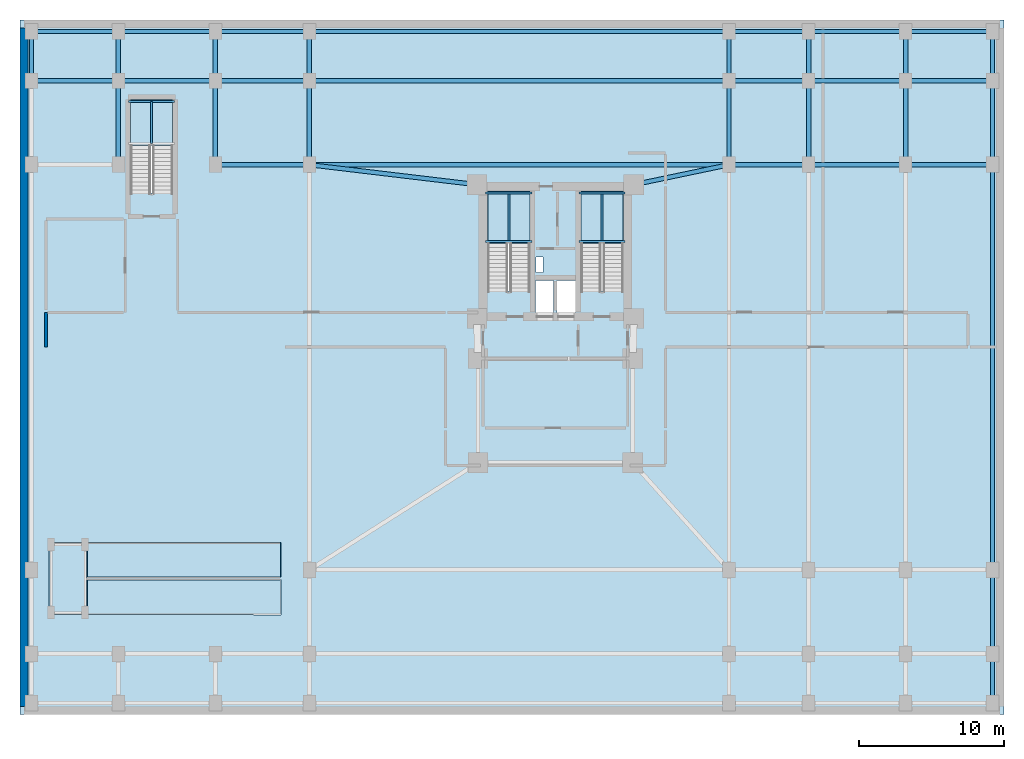
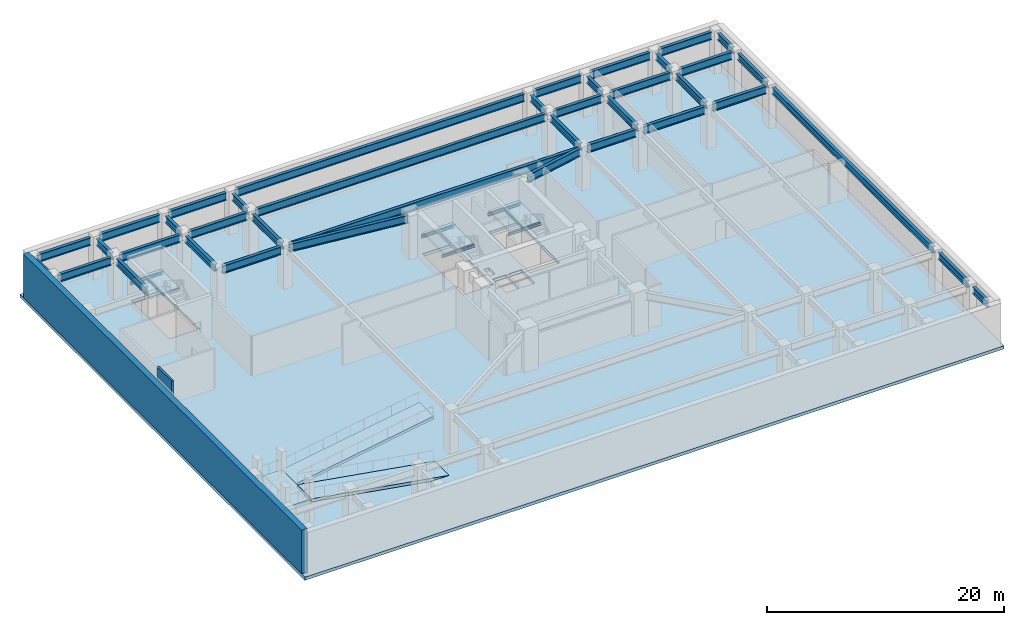
# One storey, part 2 of 8: 47 beams, 7 slabs, 2 walls, 3 elements without a shape of their own.
"""IFC4 building model written with IfcOpenShell, lengths in metres."""

from ifc_helpers import new_model, si_unit, direction, frame, frame_2d, origin, origin_2d, place, context, subcontext, project, spatial, polyline, rectangle, i_section, outline, extrude, material, layer, layer_set, material_profile, profile_set, type_object, element, aggregate, save


model = new_model("IFC4")

# Units and contexts
model_context = context("Model", 3, precision=1e-05, world=origin(), true_north=direction((0.0, 1.0)))
body_context = subcontext(model_context, "Body", "Model", "MODEL_VIEW")
ifc_project = project(units=[si_unit("LENGTHUNIT", "METRE"), si_unit("AREAUNIT", "SQUARE_METRE"), si_unit("VOLUMEUNIT", "CUBIC_METRE"), si_unit("PLANEANGLEUNIT", "RADIAN"), si_unit("MASSUNIT", "GRAM", prefix="KILO")], contexts=[model_context])

# Site, building, storey
site_placement = place(None, origin())
site = spatial("IfcSite", under=ifc_project, at=site_placement, CompositionType="ELEMENT")
building_placement = place(site_placement, origin())
building = spatial("IfcBuilding", under=site, at=building_placement, Name="Varnakorn Sky Granary", CompositionType="ELEMENT")
storey_placement = place(building_placement, frame((0.0, 0.0, -9.0)))
storey = spatial("IfcBuildingStorey", under=building, at=storey_placement, Name="B02", CompositionType="ELEMENT", Elevation=-9.0)

# Beams
ifc_material_1 = material(Name="Steel S355JR", Category="steel")
ifc_material_profile_1 = material_profile(ifc_material_1, i_section(OverallWidth=0.135009765625, OverallDepth=0.27001953125, WebThickness=0.006591796875, FlangeThickness=0.01025390625, at=origin_2d()), Name="IPE 270")
ifc_profile_set_1 = profile_set([ifc_material_profile_1], Name="Steel S355JR")
beam_type_1 = type_object("IfcBeamType", Name="BM-LND-270", PredefinedType="BEAM", material=ifc_profile_set_1)
for number, where, z_axis, x_axis, name in (
    (1, (-1.820068359375, 8.679931640625, 1.9150390625), (1.0, 0.0, 0.0), (0.0, 1.0, 0.0), "Stair ST-1 Landing Trimmer Beam A B02-1"),
    (2, (-1.820068359375, 12.06005859375, 1.9150390625), (1.0, 0.0, 0.0), (0.0, 1.0, 0.0), "Stair ST-1 Landing Trimmer Beam B B02-1"),
):
    element("IfcBeam", number, at=place(storey_placement, frame(where, z_axis=z_axis, x_axis=x_axis)), inside=storey, type_object=beam_type_1, Name=name, PredefinedType="BEAM", context=body_context, shape_type="SweptSolid", body=[
        extrude(i_section(OverallWidth=0.135009765625, OverallDepth=0.27001953125, WebThickness=0.006591796875, FlangeThickness=0.01025390625, at=origin_2d()), origin(), (0.0, 0.0, 1.0), 3.199951171875),
    ])
beam_1_placement = place(storey_placement, frame((-0.219970703125, 8.679931640625, 1.9150390625), z_axis=(0.0, 1.0, 0.0), x_axis=(-1.0, 0.0, 0.0)))
element("IfcBeam", 3, at=beam_1_placement, inside=storey, type_object=beam_type_1, Name="Stair ST-1 Landing Cross Beam C B02-1", PredefinedType="BEAM", context=body_context, shape_type="SweptSolid", body=[
    extrude(i_section(OverallWidth=0.135009765625, OverallDepth=0.27001953125, WebThickness=0.006591796875, FlangeThickness=0.01025390625, at=origin_2d()), origin(), (0.0, 0.0, 1.0), 3.380126953125),
])
for number, where, z_axis, x_axis, name in (
    (4, (4.6201171875, 8.679931640625, 1.9150390625), (1.0, 0.0, 0.0), (0.0, 1.0, 0.0), "Stair ST-2 Landing Trimmer Beam A B02-1"),
    (5, (4.6201171875, 12.06005859375, 1.9150390625), (1.0, 0.0, 0.0), (0.0, 1.0, 0.0), "Stair ST-2 Landing Trimmer Beam B B02-1"),
):
    element("IfcBeam", number, at=place(storey_placement, frame(where, z_axis=z_axis, x_axis=x_axis)), inside=storey, type_object=beam_type_1, Name=name, PredefinedType="BEAM", context=body_context, shape_type="SweptSolid", body=[
        extrude(i_section(OverallWidth=0.135009765625, OverallDepth=0.27001953125, WebThickness=0.006591796875, FlangeThickness=0.01025390625, at=origin_2d()), origin(), (0.0, 0.0, 1.0), 3.199951171875),
    ])
beam_2_placement = place(storey_placement, frame((6.219970703125, 8.679931640625, 1.9150390625), z_axis=(0.0, 1.0, 0.0), x_axis=(-1.0, 0.0, 0.0)))
element("IfcBeam", 6, at=beam_2_placement, inside=storey, type_object=beam_type_1, Name="Stair ST-2 Landing Cross Beam C B02-1", PredefinedType="BEAM", context=body_context, shape_type="SweptSolid", body=[
    extrude(i_section(OverallWidth=0.135009765625, OverallDepth=0.27001953125, WebThickness=0.006591796875, FlangeThickness=0.01025390625, at=origin_2d()), origin(), (0.0, 0.0, 1.0), 3.380126953125),
])
beam_3_placement = place(storey_placement, frame((-26.5, 18.3798828125, 1.9150390625), z_axis=(1.0, 0.0, 0.0), x_axis=(0.0, 1.0, 0.0)))
element("IfcBeam", 7, at=beam_3_placement, inside=storey, type_object=beam_type_1, Name="Stair ST-B3 Landing Trimmer Beam B B02-1", PredefinedType="BEAM", context=body_context, shape_type="SweptSolid", body=[
    extrude(i_section(OverallWidth=0.135009765625, OverallDepth=0.27001953125, WebThickness=0.006591796875, FlangeThickness=0.01025390625, at=origin_2d()), origin(), (0.0, 0.0, 1.0), 3.179931640625),
])
beam_4_placement = place(storey_placement, frame((-24.909912109375, 15.4599609375, 1.9150390625), z_axis=(0.0, 1.0, 0.0), x_axis=(-1.0, 0.0, 0.0)))
element("IfcBeam", 8, at=beam_4_placement, inside=storey, type_object=beam_type_1, Name="Stair ST-B3 Landing Cross Beam C B02-1", PredefinedType="BEAM", context=body_context, shape_type="SweptSolid", body=[
    extrude(i_section(OverallWidth=0.135009765625, OverallDepth=0.27001953125, WebThickness=0.006591796875, FlangeThickness=0.01025390625, at=origin_2d()), origin(), (0.0, 0.0, 1.0), 2.919921875),
])
ifc_material_profile_2 = material_profile(ifc_material_1, i_section(OverallWidth=0.300048828125, OverallDepth=0.699951171875, WebThickness=0.01708984375, FlangeThickness=0.031982421875, at=origin_2d()), Name="HE 700 B")
ifc_profile_set_2 = profile_set([ifc_material_profile_2], Name="Steel S355JR")
beam_type_2 = type_object("IfcBeamType", Name="BM-PG-700", PredefinedType="T_BEAM", material=ifc_profile_set_2)
beam_5_placement = place(storey_placement, frame((-33.199951171875, 20.219970703125, 3.830078125), z_axis=(0.0, 1.0, 0.0), x_axis=(-1.0, 0.0, 0.0)))
element("IfcBeam", 9, at=beam_5_placement, inside=storey, type_object=beam_type_2, Name="Podium Y-Girder GY43 B02", PredefinedType="T_BEAM", context=body_context, shape_type="SweptSolid", body=[
    extrude(i_section(OverallWidth=0.300048828125, OverallDepth=0.699951171875, WebThickness=0.01708984375, FlangeThickness=0.031982421875, at=origin_2d()), origin(), (0.0, 0.0, 1.0), 2.56005859375),
])
beam_6_placement = place(storey_placement, frame((-27.199951171875, 14.419921875, 3.830078125), z_axis=(0.0, 1.0, 0.0), x_axis=(-1.0, 0.0, 0.0)))
element("IfcBeam", 10, at=beam_6_placement, inside=storey, type_object=beam_type_2, Name="Podium Y-Girder GY45 B02", PredefinedType="T_BEAM", context=body_context, shape_type="SweptSolid", body=[
    extrude(i_section(OverallWidth=0.300048828125, OverallDepth=0.699951171875, WebThickness=0.01708984375, FlangeThickness=0.031982421875, at=origin_2d()), origin(), (0.0, 0.0, 1.0), 4.9599609375),
])
beam_7_placement = place(storey_placement, frame((-27.199951171875, 20.219970703125, 3.830078125), z_axis=(0.0, 1.0, 0.0), x_axis=(-1.0, 0.0, 0.0)))
element("IfcBeam", 11, at=beam_7_placement, inside=storey, type_object=beam_type_2, Name="Podium Y-Girder GY46 B02", PredefinedType="T_BEAM", context=body_context, shape_type="SweptSolid", body=[
    extrude(i_section(OverallWidth=0.300048828125, OverallDepth=0.699951171875, WebThickness=0.01708984375, FlangeThickness=0.031982421875, at=origin_2d()), origin(), (0.0, 0.0, 1.0), 2.56005859375),
])
beam_8_placement = place(storey_placement, frame((-20.5, 14.419921875, 3.830078125), z_axis=(0.0, 1.0, 0.0), x_axis=(-1.0, 0.0, 0.0)))
element("IfcBeam", 12, at=beam_8_placement, inside=storey, type_object=beam_type_2, Name="Podium Y-Girder GY48 B02", PredefinedType="T_BEAM", context=body_context, shape_type="SweptSolid", body=[
    extrude(i_section(OverallWidth=0.300048828125, OverallDepth=0.699951171875, WebThickness=0.01708984375, FlangeThickness=0.031982421875, at=origin_2d()), origin(), (0.0, 0.0, 1.0), 4.9599609375),
])
beam_9_placement = place(storey_placement, frame((-20.5, 20.219970703125, 3.830078125), z_axis=(0.0, 1.0, 0.0), x_axis=(-1.0, 0.0, 0.0)))
element("IfcBeam", 13, at=beam_9_placement, inside=storey, type_object=beam_type_2, Name="Podium Y-Girder GY49 B02", PredefinedType="T_BEAM", context=body_context, shape_type="SweptSolid", body=[
    extrude(i_section(OverallWidth=0.300048828125, OverallDepth=0.699951171875, WebThickness=0.01708984375, FlangeThickness=0.031982421875, at=origin_2d()), origin(), (0.0, 0.0, 1.0), 2.56005859375),
])
beam_10_placement = place(storey_placement, frame((-14.0, 14.419921875, 3.830078125), z_axis=(0.0, 1.0, 0.0), x_axis=(-1.0, 0.0, 0.0)))
element("IfcBeam", 14, at=beam_10_placement, inside=storey, type_object=beam_type_2, Name="Podium Y-Girder GY53 B02", PredefinedType="T_BEAM", context=body_context, shape_type="SweptSolid", body=[
    extrude(i_section(OverallWidth=0.300048828125, OverallDepth=0.699951171875, WebThickness=0.01708984375, FlangeThickness=0.031982421875, at=origin_2d()), origin(), (0.0, 0.0, 1.0), 4.9599609375),
])
beam_11_placement = place(storey_placement, frame((-14.0, 20.219970703125, 3.830078125), z_axis=(0.0, 1.0, 0.0), x_axis=(-1.0, 0.0, 0.0)))
element("IfcBeam", 15, at=beam_11_placement, inside=storey, type_object=beam_type_2, Name="Podium Y-Girder GY54 B02", PredefinedType="T_BEAM", context=body_context, shape_type="SweptSolid", body=[
    extrude(i_section(OverallWidth=0.300048828125, OverallDepth=0.699951171875, WebThickness=0.01708984375, FlangeThickness=0.031982421875, at=origin_2d()), origin(), (0.0, 0.0, 1.0), 2.56005859375),
])
beam_12_placement = place(storey_placement, frame((15.0, 14.419921875, 3.830078125), z_axis=(0.0, 1.0, 0.0), x_axis=(-1.0, 0.0, 0.0)))
element("IfcBeam", 16, at=beam_12_placement, inside=storey, type_object=beam_type_2, Name="Podium Y-Girder GY58 B02", PredefinedType="T_BEAM", context=body_context, shape_type="SweptSolid", body=[
    extrude(i_section(OverallWidth=0.300048828125, OverallDepth=0.699951171875, WebThickness=0.01708984375, FlangeThickness=0.031982421875, at=origin_2d()), origin(), (0.0, 0.0, 1.0), 4.9599609375),
])
beam_13_placement = place(storey_placement, frame((15.0, 20.219970703125, 3.830078125), z_axis=(0.0, 1.0, 0.0), x_axis=(-1.0, 0.0, 0.0)))
element("IfcBeam", 17, at=beam_13_placement, inside=storey, type_object=beam_type_2, Name="Podium Y-Girder GY59 B02", PredefinedType="T_BEAM", context=body_context, shape_type="SweptSolid", body=[
    extrude(i_section(OverallWidth=0.300048828125, OverallDepth=0.699951171875, WebThickness=0.01708984375, FlangeThickness=0.031982421875, at=origin_2d()), origin(), (0.0, 0.0, 1.0), 2.56005859375),
])
beam_14_placement = place(storey_placement, frame((20.5, 14.419921875, 3.830078125), z_axis=(0.0, 1.0, 0.0), x_axis=(-1.0, 0.0, 0.0)))
element("IfcBeam", 18, at=beam_14_placement, inside=storey, type_object=beam_type_2, Name="Podium Y-Girder GY63 B02", PredefinedType="T_BEAM", context=body_context, shape_type="SweptSolid", body=[
    extrude(i_section(OverallWidth=0.300048828125, OverallDepth=0.699951171875, WebThickness=0.01708984375, FlangeThickness=0.031982421875, at=origin_2d()), origin(), (0.0, 0.0, 1.0), 4.9599609375),
])
beam_15_placement = place(storey_placement, frame((20.5, 20.219970703125, 3.830078125), z_axis=(0.0, 1.0, 0.0), x_axis=(-1.0, 0.0, 0.0)))
element("IfcBeam", 19, at=beam_15_placement, inside=storey, type_object=beam_type_2, Name="Podium Y-Girder GY64 B02", PredefinedType="T_BEAM", context=body_context, shape_type="SweptSolid", body=[
    extrude(i_section(OverallWidth=0.300048828125, OverallDepth=0.699951171875, WebThickness=0.01708984375, FlangeThickness=0.031982421875, at=origin_2d()), origin(), (0.0, 0.0, 1.0), 2.56005859375),
])
beam_16_placement = place(storey_placement, frame((27.199951171875, 14.419921875, 3.830078125), z_axis=(0.0, 1.0, 0.0), x_axis=(-1.0, 0.0, 0.0)))
element("IfcBeam", 20, at=beam_16_placement, inside=storey, type_object=beam_type_2, Name="Podium Y-Girder GY68 B02", PredefinedType="T_BEAM", context=body_context, shape_type="SweptSolid", body=[
    extrude(i_section(OverallWidth=0.300048828125, OverallDepth=0.699951171875, WebThickness=0.01708984375, FlangeThickness=0.031982421875, at=origin_2d()), origin(), (0.0, 0.0, 1.0), 4.9599609375),
])
for number, where, z_axis, x_axis, name in (
    (21, (27.199951171875, 20.219970703125, 3.830078125), (0.0, 1.0, 0.0), (-1.0, 0.0, 0.0), "Podium Y-Girder GY69 B02"),
    (22, (33.199951171875, -22.780029296875, 3.830078125), (0.0, 1.0, 0.0), (-1.0, 0.0, 0.0), "Podium Y-Girder GY70 B02"),
):
    element("IfcBeam", number, at=place(storey_placement, frame(where, z_axis=z_axis, x_axis=x_axis)), inside=storey, type_object=beam_type_2, Name=name, PredefinedType="T_BEAM", context=body_context, shape_type="SweptSolid", body=[
        extrude(i_section(OverallWidth=0.300048828125, OverallDepth=0.699951171875, WebThickness=0.01708984375, FlangeThickness=0.031982421875, at=origin_2d()), origin(), (0.0, 0.0, 1.0), 2.56005859375),
    ])
beam_17_placement = place(storey_placement, frame((33.199951171875, -19.3798828125, 3.830078125), z_axis=(0.0, 1.0, 0.0), x_axis=(-1.0, 0.0, 0.0)))
element("IfcBeam", 23, at=beam_17_placement, inside=storey, type_object=beam_type_2, Name="Podium Y-Girder GY71 B02", PredefinedType="T_BEAM", context=body_context, shape_type="SweptSolid", body=[
    extrude(i_section(OverallWidth=0.300048828125, OverallDepth=0.699951171875, WebThickness=0.01708984375, FlangeThickness=0.031982421875, at=origin_2d()), origin(), (0.0, 0.0, 1.0), 4.9599609375),
])
beam_18_placement = place(storey_placement, frame((33.199951171875, -13.580078125, 3.830078125), z_axis=(0.0, 1.0, 0.0), x_axis=(-1.0, 0.0, 0.0)))
element("IfcBeam", 24, at=beam_18_placement, inside=storey, type_object=beam_type_2, Name="Podium Y-Girder GY72 B02", PredefinedType="T_BEAM", context=body_context, shape_type="SweptSolid", body=[
    extrude(i_section(OverallWidth=0.300048828125, OverallDepth=0.699951171875, WebThickness=0.01708984375, FlangeThickness=0.031982421875, at=origin_2d()), origin(), (0.0, 0.0, 1.0), 27.16015625),
])
beam_19_placement = place(storey_placement, frame((33.199951171875, 14.419921875, 3.830078125), z_axis=(0.0, 1.0, 0.0), x_axis=(-1.0, 0.0, 0.0)))
element("IfcBeam", 25, at=beam_19_placement, inside=storey, type_object=beam_type_2, Name="Podium Y-Girder GY73 B02", PredefinedType="T_BEAM", context=body_context, shape_type="SweptSolid", body=[
    extrude(i_section(OverallWidth=0.300048828125, OverallDepth=0.699951171875, WebThickness=0.01708984375, FlangeThickness=0.031982421875, at=origin_2d()), origin(), (0.0, 0.0, 1.0), 4.9599609375),
])
beam_20_placement = place(storey_placement, frame((33.199951171875, 20.219970703125, 3.830078125), z_axis=(0.0, 1.0, 0.0), x_axis=(-1.0, 0.0, 0.0)))
element("IfcBeam", 26, at=beam_20_placement, inside=storey, type_object=beam_type_2, Name="Podium Y-Girder GY74 B02", PredefinedType="T_BEAM", context=body_context, shape_type="SweptSolid", body=[
    extrude(i_section(OverallWidth=0.300048828125, OverallDepth=0.699951171875, WebThickness=0.01708984375, FlangeThickness=0.031982421875, at=origin_2d()), origin(), (0.0, 0.0, 1.0), 2.56005859375),
])
ifc_material_profile_3 = material_profile(ifc_material_1, i_section(OverallWidth=0.300048828125, OverallDepth=0.800048828125, WebThickness=0.017578125, FlangeThickness=0.032958984375, at=origin_2d()), Name="HE 800 B")
ifc_profile_set_3 = profile_set([ifc_material_profile_3], Name="Steel S355JR")
beam_type_3 = type_object("IfcBeamType", Name="BM-PG-800", PredefinedType="BEAM", material=ifc_profile_set_3)
beam_21_placement = place(storey_placement, frame((-20.080078125, 14.0, 3.780029296875), z_axis=(1.0, 0.0, 0.0), x_axis=(0.0, 1.0, 0.0)))
element("IfcBeam", 27, at=beam_21_placement, inside=storey, type_object=beam_type_3, Name="Podium X-Girder GX20 B02", PredefinedType="BEAM", context=body_context, shape_type="SweptSolid", body=[
    extrude(i_section(OverallWidth=0.300048828125, OverallDepth=0.800048828125, WebThickness=0.017578125, FlangeThickness=0.032958984375, at=origin_2d()), origin(), (0.0, 0.0, 1.0), 5.66015625),
])
beam_22_placement = place(storey_placement, frame((-13.580078125, 14.0, 3.780029296875), z_axis=(1.0, 0.0, 0.0), x_axis=(0.0, 1.0, 0.0)))
element("IfcBeam", 28, at=beam_22_placement, inside=storey, type_object=beam_type_3, Name="Podium X-Girder GX21 B02", PredefinedType="BEAM", context=body_context, shape_type="SweptSolid", body=[
    extrude(i_section(OverallWidth=0.300048828125, OverallDepth=0.800048828125, WebThickness=0.017578125, FlangeThickness=0.032958984375, at=origin_2d()), origin(), (0.0, 0.0, 1.0), 28.16015625),
])
beam_23_placement = place(storey_placement, frame((15.419921875, 14.0, 3.780029296875), z_axis=(1.0, 0.0, 0.0), x_axis=(0.0, 1.0, 0.0)))
element("IfcBeam", 29, at=beam_23_placement, inside=storey, type_object=beam_type_3, Name="Podium X-Girder GX22 B02", PredefinedType="BEAM", context=body_context, shape_type="SweptSolid", body=[
    extrude(i_section(OverallWidth=0.300048828125, OverallDepth=0.800048828125, WebThickness=0.017578125, FlangeThickness=0.032958984375, at=origin_2d()), origin(), (0.0, 0.0, 1.0), 4.66015625),
])
beam_24_placement = place(storey_placement, frame((20.919921875, 14.0, 3.780029296875), z_axis=(1.0, 0.0, 0.0), x_axis=(0.0, 1.0, 0.0)))
element("IfcBeam", 30, at=beam_24_placement, inside=storey, type_object=beam_type_3, Name="Podium X-Girder GX23 B02", PredefinedType="BEAM", context=body_context, shape_type="SweptSolid", body=[
    extrude(i_section(OverallWidth=0.300048828125, OverallDepth=0.800048828125, WebThickness=0.017578125, FlangeThickness=0.032958984375, at=origin_2d()), origin(), (0.0, 0.0, 1.0), 5.860107421875),
])
for number, where, z_axis, x_axis, name in (
    (31, (27.6201171875, 14.0, 3.780029296875), (1.0, 0.0, 0.0), (0.0, 1.0, 0.0), "Podium X-Girder GX24 B02"),
    (32, (-32.780029296875, 19.800048828125, 3.780029296875), (1.0, 0.0, 0.0), (0.0, 1.0, 0.0), "Podium X-Girder GX25 B02"),
):
    element("IfcBeam", number, at=place(storey_placement, frame(where, z_axis=z_axis, x_axis=x_axis)), inside=storey, type_object=beam_type_3, Name=name, PredefinedType="BEAM", context=body_context, shape_type="SweptSolid", body=[
        extrude(i_section(OverallWidth=0.300048828125, OverallDepth=0.800048828125, WebThickness=0.017578125, FlangeThickness=0.032958984375, at=origin_2d()), origin(), (0.0, 0.0, 1.0), 5.159912109375),
    ])
beam_25_placement = place(storey_placement, frame((-26.780029296875, 19.800048828125, 3.780029296875), z_axis=(1.0, 0.0, 0.0), x_axis=(0.0, 1.0, 0.0)))
element("IfcBeam", 33, at=beam_25_placement, inside=storey, type_object=beam_type_3, Name="Podium X-Girder GX26 B02", PredefinedType="BEAM", context=body_context, shape_type="SweptSolid", body=[
    extrude(i_section(OverallWidth=0.300048828125, OverallDepth=0.800048828125, WebThickness=0.017578125, FlangeThickness=0.032958984375, at=origin_2d()), origin(), (0.0, 0.0, 1.0), 5.860107421875),
])
beam_26_placement = place(storey_placement, frame((-20.080078125, 19.800048828125, 3.780029296875), z_axis=(1.0, 0.0, 0.0), x_axis=(0.0, 1.0, 0.0)))
element("IfcBeam", 34, at=beam_26_placement, inside=storey, type_object=beam_type_3, Name="Podium X-Girder GX27 B02", PredefinedType="BEAM", context=body_context, shape_type="SweptSolid", body=[
    extrude(i_section(OverallWidth=0.300048828125, OverallDepth=0.800048828125, WebThickness=0.017578125, FlangeThickness=0.032958984375, at=origin_2d()), origin(), (0.0, 0.0, 1.0), 5.66015625),
])
beam_27_placement = place(storey_placement, frame((-13.580078125, 19.800048828125, 3.780029296875), z_axis=(1.0, 0.0, 0.0), x_axis=(0.0, 1.0, 0.0)))
element("IfcBeam", 35, at=beam_27_placement, inside=storey, type_object=beam_type_3, Name="Podium X-Girder GX28 B02", PredefinedType="BEAM", context=body_context, shape_type="SweptSolid", body=[
    extrude(i_section(OverallWidth=0.300048828125, OverallDepth=0.800048828125, WebThickness=0.017578125, FlangeThickness=0.032958984375, at=origin_2d()), origin(), (0.0, 0.0, 1.0), 28.16015625),
])
beam_28_placement = place(storey_placement, frame((15.419921875, 19.800048828125, 3.780029296875), z_axis=(1.0, 0.0, 0.0), x_axis=(0.0, 1.0, 0.0)))
element("IfcBeam", 36, at=beam_28_placement, inside=storey, type_object=beam_type_3, Name="Podium X-Girder GX29 B02", PredefinedType="BEAM", context=body_context, shape_type="SweptSolid", body=[
    extrude(i_section(OverallWidth=0.300048828125, OverallDepth=0.800048828125, WebThickness=0.017578125, FlangeThickness=0.032958984375, at=origin_2d()), origin(), (0.0, 0.0, 1.0), 4.66015625),
])
beam_29_placement = place(storey_placement, frame((20.919921875, 19.800048828125, 3.780029296875), z_axis=(1.0, 0.0, 0.0), x_axis=(0.0, 1.0, 0.0)))
element("IfcBeam", 37, at=beam_29_placement, inside=storey, type_object=beam_type_3, Name="Podium X-Girder GX30 B02", PredefinedType="BEAM", context=body_context, shape_type="SweptSolid", body=[
    extrude(i_section(OverallWidth=0.300048828125, OverallDepth=0.800048828125, WebThickness=0.017578125, FlangeThickness=0.032958984375, at=origin_2d()), origin(), (0.0, 0.0, 1.0), 5.860107421875),
])
for number, where, z_axis, x_axis, name in (
    (38, (27.6201171875, 19.800048828125, 3.780029296875), (1.0, 0.0, 0.0), (0.0, 1.0, 0.0), "Podium X-Girder GX31 B02"),
    (39, (-32.780029296875, 23.199951171875, 3.780029296875), (1.0, 0.0, 0.0), (0.0, 1.0, 0.0), "Podium X-Girder GX32 B02"),
):
    element("IfcBeam", number, at=place(storey_placement, frame(where, z_axis=z_axis, x_axis=x_axis)), inside=storey, type_object=beam_type_3, Name=name, PredefinedType="BEAM", context=body_context, shape_type="SweptSolid", body=[
        extrude(i_section(OverallWidth=0.300048828125, OverallDepth=0.800048828125, WebThickness=0.017578125, FlangeThickness=0.032958984375, at=origin_2d()), origin(), (0.0, 0.0, 1.0), 5.159912109375),
    ])
beam_30_placement = place(storey_placement, frame((-26.780029296875, 23.199951171875, 3.780029296875), z_axis=(1.0, 0.0, 0.0), x_axis=(0.0, 1.0, 0.0)))
element("IfcBeam", 40, at=beam_30_placement, inside=storey, type_object=beam_type_3, Name="Podium X-Girder GX33 B02", PredefinedType="BEAM", context=body_context, shape_type="SweptSolid", body=[
    extrude(i_section(OverallWidth=0.300048828125, OverallDepth=0.800048828125, WebThickness=0.017578125, FlangeThickness=0.032958984375, at=origin_2d()), origin(), (0.0, 0.0, 1.0), 5.860107421875),
])
beam_31_placement = place(storey_placement, frame((-20.080078125, 23.199951171875, 3.780029296875), z_axis=(1.0, 0.0, 0.0), x_axis=(0.0, 1.0, 0.0)))
element("IfcBeam", 41, at=beam_31_placement, inside=storey, type_object=beam_type_3, Name="Podium X-Girder GX34 B02", PredefinedType="BEAM", context=body_context, shape_type="SweptSolid", body=[
    extrude(i_section(OverallWidth=0.300048828125, OverallDepth=0.800048828125, WebThickness=0.017578125, FlangeThickness=0.032958984375, at=origin_2d()), origin(), (0.0, 0.0, 1.0), 5.66015625),
])
beam_32_placement = place(storey_placement, frame((-13.580078125, 23.199951171875, 3.780029296875), z_axis=(1.0, 0.0, 0.0), x_axis=(0.0, 1.0, 0.0)))
element("IfcBeam", 42, at=beam_32_placement, inside=storey, type_object=beam_type_3, Name="Podium X-Girder GX35 B02", PredefinedType="BEAM", context=body_context, shape_type="SweptSolid", body=[
    extrude(i_section(OverallWidth=0.300048828125, OverallDepth=0.800048828125, WebThickness=0.017578125, FlangeThickness=0.032958984375, at=origin_2d()), origin(), (0.0, 0.0, 1.0), 28.16015625),
])
beam_33_placement = place(storey_placement, frame((15.419921875, 23.199951171875, 3.780029296875), z_axis=(1.0, 0.0, 0.0), x_axis=(0.0, 1.0, 0.0)))
element("IfcBeam", 43, at=beam_33_placement, inside=storey, type_object=beam_type_3, Name="Podium X-Girder GX36 B02", PredefinedType="BEAM", context=body_context, shape_type="SweptSolid", body=[
    extrude(i_section(OverallWidth=0.300048828125, OverallDepth=0.800048828125, WebThickness=0.017578125, FlangeThickness=0.032958984375, at=origin_2d()), origin(), (0.0, 0.0, 1.0), 4.66015625),
])
beam_34_placement = place(storey_placement, frame((20.919921875, 23.199951171875, 3.780029296875), z_axis=(1.0, 0.0, 0.0), x_axis=(0.0, 1.0, 0.0)))
element("IfcBeam", 44, at=beam_34_placement, inside=storey, type_object=beam_type_3, Name="Podium X-Girder GX37 B02", PredefinedType="BEAM", context=body_context, shape_type="SweptSolid", body=[
    extrude(i_section(OverallWidth=0.300048828125, OverallDepth=0.800048828125, WebThickness=0.017578125, FlangeThickness=0.032958984375, at=origin_2d()), origin(), (0.0, 0.0, 1.0), 5.860107421875),
])
beam_35_placement = place(storey_placement, frame((27.6201171875, 23.199951171875, 3.780029296875), z_axis=(1.0, 0.0, 0.0), x_axis=(0.0, 1.0, 0.0)))
element("IfcBeam", 45, at=beam_35_placement, inside=storey, type_object=beam_type_3, Name="Podium X-Girder GX38 B02", PredefinedType="BEAM", context=body_context, shape_type="SweptSolid", body=[
    extrude(i_section(OverallWidth=0.300048828125, OverallDepth=0.800048828125, WebThickness=0.017578125, FlangeThickness=0.032958984375, at=origin_2d()), origin(), (0.0, 0.0, 1.0), 5.159912109375),
])
beam_36_placement = place(storey_placement, frame((-13.5830078125, 13.9501953125, 3.780029296875), z_axis=(0.992975027395, -0.118324109839, 0.0), x_axis=(0.118324109839, 0.992975027395, 0.0)))
element("IfcBeam", 46, at=beam_36_placement, inside=storey, type_object=beam_type_3, Name="Podium Core Tie Girder 1 B02", PredefinedType="BEAM", context=body_context, shape_type="SweptSolid", body=[
    extrude(i_section(OverallWidth=0.300048828125, OverallDepth=0.800048828125, WebThickness=0.017578125, FlangeThickness=0.032958984375, at=origin_2d()), origin(), (0.0, 0.0, 1.0), 10.822021484375),
])
beam_37_placement = place(storey_placement, frame((14.5888671875, 13.913818359375, 3.780029296875), z_axis=(-0.978708882908, -0.205253313045, 0.0), x_axis=(0.205253313045, -0.978708882908, 0.0)))
element("IfcBeam", 47, at=beam_37_placement, inside=storey, type_object=beam_type_3, Name="Podium Core Tie Girder 3 B02", PredefinedType="BEAM", context=body_context, shape_type="SweptSolid", body=[
    extrude(i_section(OverallWidth=0.300048828125, OverallDepth=0.800048828125, WebThickness=0.017578125, FlangeThickness=0.032958984375, at=origin_2d()), origin(), (0.0, 0.0, 1.0), 5.883056640625),
])

# Stair, slab
ifc_material_2 = material(Name="Concrete C40/50", Category="concrete")
stair_type = type_object("IfcStairType", Name="ST-MAIN-ASSEMBLY", PredefinedType="HALF_TURN_STAIR", material=ifc_material_2)
stair_1_placement = place(storey_placement, origin())
stair_1 = element("IfcStair", 48, at=stair_1_placement, inside=storey, type_object=stair_type, Name="B02 Protected Exit Stair ST-1", PredefinedType="HALF_TURN_STAIR")
ifc_layer_1 = layer(ifc_material_2, 0.199951171875, Name="Concrete C40/50")
ifc_layer_set_1 = layer_set([ifc_layer_1], Name="Concrete C40/50")
slab_type_1 = type_object("IfcSlabType", Name="ST-MAIN-LAND", PredefinedType="LANDING", material=ifc_layer_set_1)
slab_1_placement = place(storey_placement, frame((0.0, 0.0, 2.050048828125)))
slab_1 = element("IfcSlab", 49, at=slab_1_placement, type_object=slab_type_1, Name="ST-1 landing 1", PredefinedType="LANDING", context=body_context, shape_type="SweptSolid", body=[
    extrude(outline(polyline([(1.239990234375, 8.56005859375), (1.239990234375, 12.179931640625), (-1.669921875, 12.179931640625), (-1.669921875, 8.56005859375), (1.239990234375, 8.56005859375)])), origin(), (0.0, 0.0, 1.0), 0.199951171875),
])
aggregate(stair_1, [slab_1])

stair_2_placement = place(storey_placement, origin())
stair_2 = element("IfcStair", 50, at=stair_2_placement, inside=storey, type_object=stair_type, Name="B02 Protected Exit Stair ST-2", PredefinedType="HALF_TURN_STAIR")
slab_2_placement = place(storey_placement, frame((0.0, 0.0, 2.050048828125)))
slab_2 = element("IfcSlab", 51, at=slab_2_placement, type_object=slab_type_1, Name="ST-2 landing 1", PredefinedType="LANDING", context=body_context, shape_type="SweptSolid", body=[
    extrude(outline(polyline([(7.679931640625, 8.56005859375), (7.679931640625, 12.179931640625), (4.77001953125, 12.179931640625), (4.77001953125, 8.56005859375), (7.679931640625, 8.56005859375)])), origin(), (0.0, 0.0, 1.0), 0.199951171875),
])
aggregate(stair_2, [slab_2])

stair_3_placement = place(storey_placement, origin())
stair_3 = element("IfcStair", 52, at=stair_3_placement, inside=storey, type_object=stair_type, Name="B02 Podium and Basement Protected Exit Stair ST-B3", PredefinedType="HALF_TURN_STAIR")
slab_3_placement = place(storey_placement, frame((0.0, 0.0, 2.050048828125)))
slab_3 = element("IfcSlab", 53, at=slab_3_placement, type_object=slab_type_1, Name="ST-B3 landing 1", PredefinedType="LANDING", context=body_context, shape_type="SweptSolid", body=[
    extrude(outline(polyline([(-23.449951171875, 15.340087890625), (-23.449951171875, 18.5), (-26.360107421875, 18.5), (-26.360107421875, 15.340087890625), (-23.449951171875, 15.340087890625)])), origin(), (0.0, 0.0, 1.0), 0.199951171875),
])
aggregate(stair_3, [slab_3])

# Slabs
ifc_material_3 = material(Name="Concrete C50/60", Category="concrete")
ifc_layer_2 = layer(ifc_material_3, 0.320068359375, Name="Concrete C50/60")
ifc_layer_set_2 = layer_set([ifc_layer_2], Name="Concrete C50/60")
slab_type_2 = type_object("IfcSlabType", Name="ST-SL-POD-320", PredefinedType="FLOOR", material=ifc_layer_set_2)
slab_4_placement = place(storey_placement, frame((0.0, 0.0, -0.320068359375)))
element("IfcSlab", 54, at=slab_4_placement, inside=storey, type_object=slab_type_2, Name="Level B02 Structural Floor Slab", PredefinedType="FLOOR", context=body_context, shape_type="SweptSolid", body=[
    extrude(outline(polyline([(-34.0, -24.0), (34.0, -24.0), (34.0, 24.0), (-34.0, 24.0), (-34.0, -24.0)]), holes=[polyline([(1.239990234375, 5.27490234375), (1.239990234375, 12.179931640625), (-1.669921875, 12.179931640625), (-1.669921875, 5.27490234375), (1.239990234375, 5.27490234375)]), polyline([(7.679931640625, 5.27490234375), (7.679931640625, 12.179931640625), (4.77001953125, 12.179931640625), (4.77001953125, 5.27490234375), (7.679931640625, 5.27490234375)]), polyline([(-23.449951171875, 12.054931640625), (-23.449951171875, 18.5), (-26.360107421875, 18.5), (-26.360107421875, 12.054931640625), (-23.449951171875, 12.054931640625)]), polyline([(1.659912109375, 6.550048828125), (2.14990234375, 6.550048828125), (2.14990234375, 7.6201171875), (1.659912109375, 7.6201171875), (1.659912109375, 6.550048828125)]), polyline([(1.6201171875, 3.739990234375), (2.8798828125, 3.739990234375), (2.8798828125, 6.010009765625), (1.6201171875, 6.010009765625), (1.6201171875, 3.739990234375)]), polyline([(3.1201171875, 3.739990234375), (4.3798828125, 3.739990234375), (4.3798828125, 6.010009765625), (3.1201171875, 6.010009765625), (3.1201171875, 3.739990234375)]), polyline([(-17.8798828125, -17.1201171875), (-15.97998046875, -17.1201171875), (-15.97998046875, -14.679931640625), (-17.8798828125, -14.679931640625), (-17.8798828125, -17.1201171875)])]), origin(), (0.0, 0.0, 1.0), 0.320068359375),
])
ifc_layer_3 = layer(ifc_material_3, 0.300048828125, Name="Concrete C50/60")
ifc_layer_set_3 = layer_set([ifc_layer_3], Name="Concrete C50/60")
slab_type_3 = type_object("IfcSlabType", Name="ST-SL-RMP-300", PredefinedType="FLOOR", material=ifc_layer_set_3)
slab_5_placement = place(storey_placement, frame((-16.0, -17.10009765625, 0.0), z_axis=(0.166315495764, 0.0, 0.986072591582), x_axis=(-0.986072591582, 0.0, 0.166315495764)))
element("IfcSlab", 55, at=slab_5_placement, inside=storey, type_object=slab_type_3, Name="Basement Structural Vehicle Ramp Lower Slab B02 to B01", PredefinedType="FLOOR", context=body_context, shape_type="SweptSolid", body=[
    extrude(outline(polyline([(0.0, 0.0), (13.528504903706091, 0.0), (13.528504903706091, -2.400146484375), (0.0, -2.400146484375), (0.0, 0.0)])), origin(), (0.0, 0.0, -1.0), 0.300048828125),
])
slab_6_placement = place(storey_placement, frame((0.0, 0.0, 1.949951171875)))
element("IfcSlab", 56, at=slab_6_placement, inside=storey, type_object=slab_type_3, Name="Basement Structural Vehicle Ramp Half-Landing Slab B02 to B01", PredefinedType="LANDING", context=body_context, shape_type="SweptSolid", body=[
    extrude(outline(polyline([(-31.97998046875, -17.10009765625), (-29.39990234375, -17.10009765625), (-29.39990234375, -12.10009765625), (-31.97998046875, -12.10009765625), (-31.97998046875, -17.10009765625)])), origin(), (0.0, 0.0, 1.0), 0.300048828125),
])
slab_7_placement = place(storey_placement, frame((-29.340087890625, -14.5, 2.25), z_axis=(-0.166315495764, 0.0, 0.986072591582), x_axis=(0.986072591582, 0.0, 0.166315495764)))
element("IfcSlab", 57, at=slab_7_placement, inside=storey, type_object=slab_type_3, Name="Basement Structural Vehicle Ramp Upper Slab B02 to B01", PredefinedType="FLOOR", context=body_context, shape_type="SweptSolid", body=[
    extrude(outline(polyline([(0.0, 0.0), (13.528504903706091, 0.0), (13.528504903706091, 2.39990234375), (0.0, 2.39990234375), (0.0, 0.0)])), origin(), (0.0, 0.0, -1.0), 0.300048828125),
])

# Walls
ifc_material_4 = material(Name="Autoclaved Aerated Concrete Blockwork", Category="masonry")
ifc_layer_4 = layer(ifc_material_4, 0.199951171875, Name="Autoclaved Aerated Concrete Blockwork")
ifc_layer_set_4 = layer_set([ifc_layer_4], Name="Autoclaved Aerated Concrete Blockwork")
wall_type_1 = type_object("IfcWallType", Name="WT-FIRE-200", PredefinedType="MOVABLE", material=ifc_layer_set_4)
wall_1_placement = place(storey_placement, frame((-32.199951171875, 3.800048828125, 0.0), z_axis=(0.0, 0.0, 1.0), x_axis=(0.0, -1.0, 0.0)))
element("IfcWall", 58, at=wall_1_placement, inside=storey, type_object=wall_type_1, Name="Interior Partition Wall B02-027", PredefinedType="MOVABLE", context=body_context, shape_type="SweptSolid", body=[
    extrude(rectangle(XDim=2.400146484375, YDim=0.199951171875, at=frame_2d((1.2001953125, 0.0))), origin(), (0.0, 0.0, 1.0), 4.179931640625),
])
ifc_layer_5 = layer(ifc_material_3, 0.550048828125, Name="Concrete C50/60")
ifc_layer_set_5 = layer_set([ifc_layer_5], Name="Concrete C50/60")
wall_type_2 = type_object("IfcWallType", Name="WT-RW-BSMT-550", PredefinedType="SOLIDWALL", material=ifc_layer_set_5)
wall_2_placement = place(storey_placement, frame((-33.72509765625, -23.43994140625, 0.0), z_axis=(0.0, 0.0, 1.0), x_axis=(0.0, 1.0, 0.0)))
element("IfcWall", 59, at=wall_2_placement, inside=storey, type_object=wall_type_2, Name="Basement Perimeter Retaining Wall B02-W", PredefinedType="SOLIDWALL", context=body_context, shape_type="SweptSolid", body=[
    extrude(rectangle(XDim=46.8798828125, YDim=0.550048828125, at=frame_2d((23.43994140625, 0.0))), origin(), (0.0, 0.0, 1.0), 4.491943359375),
])

save(model, "model.ifc")
